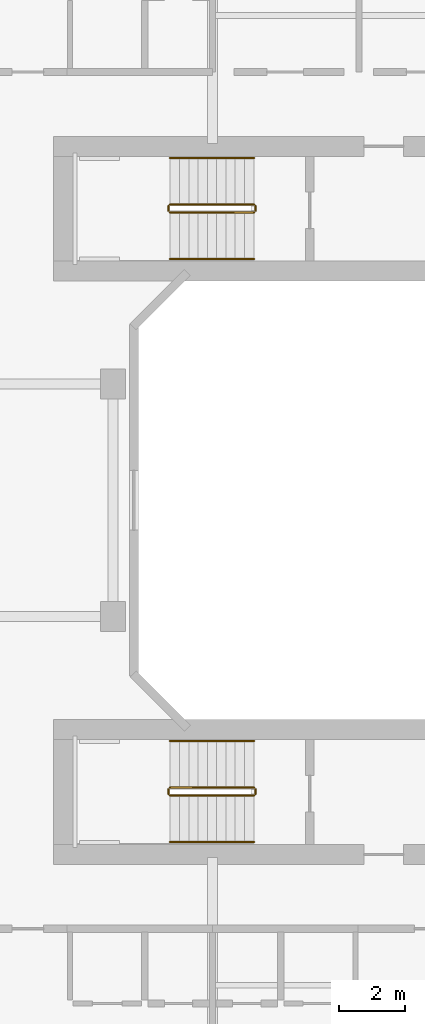
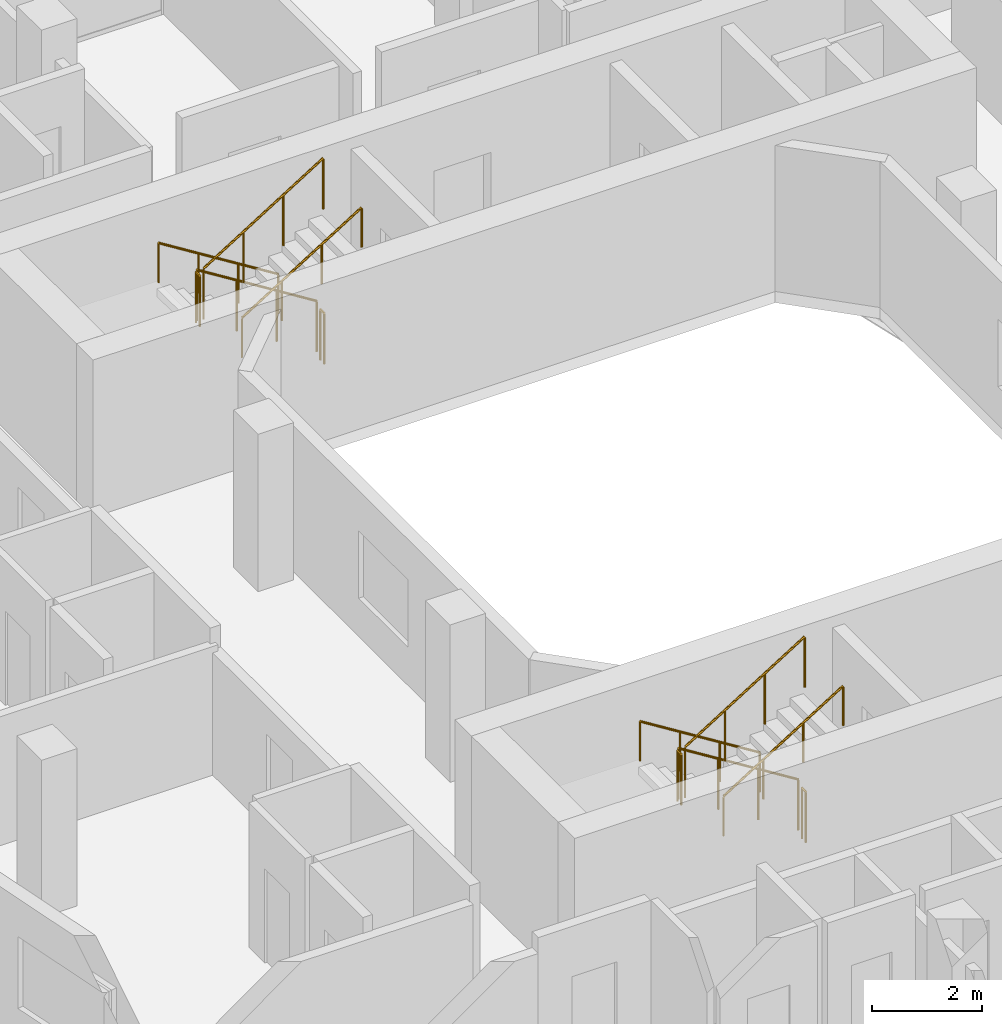
# One storey, part 27 of 27: 12 railings.
"""IFC4 building model written with IfcOpenShell, lengths in metres."""

import ifcopenshell
import ifcopenshell.guid

model = None  # the IFC model being written
_history = None  # IfcOwnerHistory: only IFC2X3 demands one
_inside = {}  # id of a spatial element -> (the spatial element, [elements in it])
_under = {}  # id of a project, library or spatial element -> (it, [spatial elements below it])
_declared = {}  # id of a project -> (the project, [libraries it declares])
_typed = {}  # id of a type object -> (the type object, [elements of that type])
_made_of = {}  # id of a material, layer set ... -> (it, [elements and type objects made of it])


def new_model(schema):
    """Start an empty IFC model of exactly this schema.

    Asked for "IFC4X3", IfcOpenShell would pick the latest addendum, in which some entities
    have other attributes; the version numbers below select the first issue.
    IFC2X3 requires an IfcOwnerHistory on every rooted entity: one is made here for all.
    """
    global model, _history
    if schema == "IFC4X3":
        model = ifcopenshell.file(schema_version=(4, 3, 0, 0))
    else:
        model = ifcopenshell.file(schema=schema)
    _inside.clear()
    _under.clear()
    _declared.clear()
    _typed.clear()
    _made_of.clear()
    _history = None
    if model.schema == "IFC2X3":
        org = make("IfcOrganization", Name="unknown")
        user = make(
            "IfcPersonAndOrganization",
            ThePerson=make("IfcPerson", FamilyName="unknown"),
            TheOrganization=org,
        )
        app = make(
            "IfcApplication",
            ApplicationDeveloper=org,
            Version="unknown",
            ApplicationFullName="unknown",
            ApplicationIdentifier="unknown",
        )
        _history = make(
            "IfcOwnerHistory",
            OwningUser=user,
            OwningApplication=app,
            ChangeAction="ADDED",
            CreationDate=0,
        )
    return model


def make(cls, **values):
    """One entity of the class cls with the attributes given. An attribute that is None is left unset."""
    return model.create_entity(
        cls, **{name: value for name, value in values.items() if value is not None}
    )


def rooted(cls, **values):
    """An entity with a GlobalId (a new one), such as an element, a storey or a relation."""
    return make(cls, GlobalId=ifcopenshell.guid.new(), OwnerHistory=_history, **values)


def si_unit(unit_type, name, prefix=None):
    """IfcSIUnit, for example si_unit("LENGTHUNIT", "METRE", prefix="MILLI")."""
    return make("IfcSIUnit", UnitType=unit_type, Prefix=prefix, Name=name)


def derived_unit(unit_type, elements):
    """IfcDerivedUnit: a product of units, each with its exponent."""
    return make(
        "IfcDerivedUnit",
        Elements=[
            make("IfcDerivedUnitElement", Unit=unit, Exponent=power)
            for unit, power in elements
        ],
        UnitType=unit_type,
    )


def assignment(units):
    """IfcUnitAssignment: the units of a project."""
    return None if units is None else make("IfcUnitAssignment", Units=units)


def point(xyz):
    """IfcCartesianPoint."""
    return None if xyz is None else make("IfcCartesianPoint", Coordinates=xyz)


def direction(xyz):
    """IfcDirection."""
    return None if xyz is None else make("IfcDirection", DirectionRatios=xyz)


def frame(location, z_axis=None, x_axis=None):
    """IfcAxis2Placement3D, a coordinate frame: its origin and axes. An axis left out is left unset."""
    return make(
        "IfcAxis2Placement3D",
        Location=point(location),
        Axis=direction(z_axis),
        RefDirection=direction(x_axis),
    )


def frame_2d(location, x_axis=None):
    """IfcAxis2Placement2D, a coordinate frame in the plane: its origin and x axis."""
    return make(
        "IfcAxis2Placement2D", Location=point(location), RefDirection=direction(x_axis)
    )


def origin():
    """The frame at (0, 0, 0) with its axes left unset."""
    return frame((0.0, 0.0, 0.0))


def origin_2d():
    """The frame at (0, 0) in the plane with its x axis left unset."""
    return frame_2d((0.0, 0.0))


def place(relative_to, where):
    """IfcLocalPlacement: puts the frame where relative to a parent placement (None: the world)."""
    return make(
        "IfcLocalPlacement", PlacementRelTo=relative_to, RelativePlacement=where
    )


def context(
    kind, dimensions, precision=None, world=None, true_north=None, identifier=None
):
    """IfcGeometricRepresentationContext, for example the 3D "Model" context."""
    return make(
        "IfcGeometricRepresentationContext",
        ContextIdentifier=identifier,
        ContextType=kind,
        CoordinateSpaceDimension=dimensions,
        Precision=precision,
        WorldCoordinateSystem=world,
        TrueNorth=true_north,
    )


def subcontext(parent, identifier, kind, view, scale=None):
    """IfcGeometricRepresentationSubContext, for example "Body" below "Model"."""
    return make(
        "IfcGeometricRepresentationSubContext",
        ContextIdentifier=identifier,
        ContextType=kind,
        ParentContext=parent,
        TargetScale=scale,
        TargetView=view,
    )


def project(units=None, contexts=None):
    """IfcProject with its units and contexts."""
    return rooted(
        "IfcProject",
        Name="project",
        RepresentationContexts=contexts,
        UnitsInContext=assignment(units),
    )


def spatial(cls, under=None, at=None, **own):
    """A site, building, storey or space (cls), placed at a placement, below another one or the project."""
    s = rooted(cls, ObjectPlacement=at, **own)
    if under is not None:
        _under.setdefault(under.id(), (under, []))[1].append(s)
    return s


def profile(cls, at=None, kind="AREA", **sizes):
    """A parametric profile (cls). Its sizes go by their IFC names, for example OverallWidth=200.0."""
    return make(cls, ProfileType=kind, Position=at, **sizes)


def circle(**sizes):
    """IfcCircleProfileDef."""
    return profile("IfcCircleProfileDef", **sizes)


def extrude(swept, where, along, depth):
    """IfcExtrudedAreaSolid: the profile swept, set in the frame where, extruded along a direction by depth."""
    return make(
        "IfcExtrudedAreaSolid",
        SweptArea=swept,
        Position=where,
        ExtrudedDirection=direction(along),
        Depth=depth,
    )


def shape(context_of_items, identifier, shape_type, items):
    """IfcShapeRepresentation: the items that make up one representation, for example the "Body"."""
    return make(
        "IfcShapeRepresentation",
        ContextOfItems=context_of_items,
        RepresentationIdentifier=identifier,
        RepresentationType=shape_type,
        Items=items,
    )


def material(Name=None, Category=None):
    """IfcMaterial."""
    return make("IfcMaterial", Name=Name, Category=Category)


def made_of(thing, what):
    """Note that an element or type object is made of a material, layer set ...; save() writes the relation."""
    if what is not None:
        _made_of.setdefault(what.id(), (what, []))[1].append(thing)
    return thing


def type_object(cls, material=None, **own):
    """A type object (cls), such as IfcWallType, which elements share."""
    return made_of(rooted(cls, **own), material)


def element(
    cls,
    number,
    at=None,
    inside=None,
    cuts=None,
    type_object=None,
    material=None,
    context=None,
    identifier="Body",
    shape_type=None,
    held_by="IfcProductDefinitionShape",
    body=None,
    shapes=None,
    **own,
):
    """One element of the class cls, such as IfcWall. Its Tag is "e" and its number.

    at: its placement. inside: the storey or other place that contains it. cuts: it is an
    opening in that element (IfcRelVoidsElement). A single representation is given by context,
    identifier, shape_type and body (its items); several are given by shapes. held_by: the class
    of the entity that holds the representations. save() writes the other relations.
    """
    e = rooted(cls, Tag="e%d" % number, ObjectPlacement=at, **own)
    if body is not None:
        shapes = [shape(context, identifier, shape_type, body)]
    if shapes is not None:
        e.Representation = make(held_by, Representations=shapes)
    if inside is not None:
        _inside.setdefault(inside.id(), (inside, []))[1].append(e)
    if cuts is not None:
        rooted(
            "IfcRelVoidsElement", RelatingBuildingElement=cuts, RelatedOpeningElement=e
        )
    if type_object is not None:
        _typed.setdefault(type_object.id(), (type_object, []))[1].append(e)
    return made_of(e, material)


def aggregate(whole, parts):
    """IfcRelAggregates: a whole, such as a stair, and the parts it consists of."""
    return rooted("IfcRelAggregates", RelatingObject=whole, RelatedObjects=parts)


def save(model, path):
    """Write the relations noted so far, then the file.

    IfcRelAggregates (storeys below a building ...), IfcRelContainedInSpatialStructure (elements
    in a storey), IfcRelDefinesByType, IfcRelAssociatesMaterial and IfcRelDeclares: one each for
    every whole, place, type object, material and project.
    """
    for whole, parts in _under.values():
        aggregate(whole, parts)
    for where, things in _inside.values():
        rooted(
            "IfcRelContainedInSpatialStructure",
            RelatedElements=things,
            RelatingStructure=where,
        )
    for kind, things in _typed.values():
        rooted("IfcRelDefinesByType", RelatedObjects=things, RelatingType=kind)
    for what, things in _made_of.values():
        rooted("IfcRelAssociatesMaterial", RelatedObjects=things, RelatingMaterial=what)
    for by, libraries in _declared.values():
        rooted("IfcRelDeclares", RelatingContext=by, RelatedDefinitions=libraries)
    model.write(path)


model = new_model("IFC4")

# Units and contexts
model_context = context("Model", 3, precision=1e-05, world=origin(), true_north=direction((0.0, 1.0)))
body_context = subcontext(model_context, "Body", "Model", "MODEL_VIEW")
ifc_project = project(units=[si_unit("LENGTHUNIT", "METRE"), si_unit("AREAUNIT", "SQUARE_METRE"), si_unit("VOLUMEUNIT", "CUBIC_METRE"), si_unit("PLANEANGLEUNIT", "RADIAN"), si_unit("MASSUNIT", "GRAM", prefix="KILO"), derived_unit("THERMALTRANSMITTANCEUNIT", [(si_unit("POWERUNIT", "WATT"), 1), (si_unit("LENGTHUNIT", "METRE"), -2), (si_unit("THERMODYNAMICTEMPERATUREUNIT", "KELVIN"), -1)])], contexts=[model_context])

# Site, building, storey
site_placement = place(None, origin())
site = spatial("IfcSite", under=ifc_project, at=site_placement, CompositionType="ELEMENT")
building_placement = place(site_placement, origin())
building = spatial("IfcBuilding", under=site, at=building_placement, Name="Kivonza Crest Hotel", CompositionType="ELEMENT")
storey_placement = place(building_placement, frame((0.0, 0.0, 38.0)))
storey = spatial("IfcBuildingStorey", under=building, at=storey_placement, Name="L09", CompositionType="ELEMENT", Elevation=38.0)

# Railings
ifc_material_1 = material(Name="Brushed stainless steel handrail", Category="steel")
railing_type_1 = type_object("IfcRailingType", Name="RL-HAND-900", PredefinedType="HANDRAIL", material=ifc_material_1)
railing_1_placement = place(storey_placement, frame((73.840087890625, 35.31005859375, 0.175048828125)))
element("IfcRailing", 1, at=railing_1_placement, inside=storey, type_object=railing_type_1, Name="L09 ST-T2-N stair handrail 1", PredefinedType="HANDRAIL", context=body_context, shape_type="SweptSolid", body=[
    extrude(circle(Radius=0.02392578125, at=origin_2d()), frame((0.0, 0.0, 0.8759765625), z_axis=(-0.848007534815, 0.0, 0.529984170421), x_axis=(0.0, -1.0, 0.0)), (0.0, 0.0, 1.0), 2.9716796875),
    extrude(circle(Radius=0.02099609375, at=origin_2d()), origin(), (0.0, 0.0, 1.0), 0.851806640625),
    extrude(circle(Radius=0.02099609375, at=origin_2d()), frame((-0.840087890625, 0.0, 0.52490234375)), (0.0, 0.0, 1.0), 0.851806640625),
    extrude(circle(Radius=0.02099609375, at=origin_2d()), frame((-1.679931640625, 0.0, 1.050048828125)), (0.0, 0.0, 1.0), 0.851806640625),
    extrude(circle(Radius=0.02099609375, at=origin_2d()), frame((-2.52001953125, 0.0, 1.574951171875)), (0.0, 0.0, 1.0), 0.851806640625),
])
railing_2_placement = place(storey_placement, frame((71.320068359375, 32.27001953125, 1.925048828125)))
element("IfcRailing", 2, at=railing_2_placement, inside=storey, type_object=railing_type_1, Name="L09 ST-T2-N stair handrail 2", PredefinedType="HANDRAIL", context=body_context, shape_type="SweptSolid", body=[
    extrude(circle(Radius=0.02392578125, at=origin_2d()), frame((0.0, 0.0, 0.8759765625), z_axis=(0.848007534815, 0.0, 0.529984170421), x_axis=(0.0, 1.0, 0.0)), (0.0, 0.0, 1.0), 2.9716796875),
    extrude(circle(Radius=0.02099609375, at=origin_2d()), origin(), (0.0, 0.0, 1.0), 0.851806640625),
    extrude(circle(Radius=0.02099609375, at=origin_2d()), frame((0.840087890625, 0.0, 0.52490234375)), (0.0, 0.0, 1.0), 0.851806640625),
    extrude(circle(Radius=0.02099609375, at=origin_2d()), frame((1.679931640625, 0.0, 1.050048828125)), (0.0, 0.0, 1.0), 0.851806640625),
    extrude(circle(Radius=0.02099609375, at=origin_2d()), frame((2.52001953125, 0.0, 1.574951171875)), (0.0, 0.0, 1.0), 0.851806640625),
])
railing_3_placement = place(storey_placement, frame((73.840087890625, 17.75, 0.175048828125)))
element("IfcRailing", 3, at=railing_3_placement, inside=storey, type_object=railing_type_1, Name="L09 ST-T2-S stair handrail 1", PredefinedType="HANDRAIL", context=body_context, shape_type="SweptSolid", body=[
    extrude(circle(Radius=0.02392578125, at=origin_2d()), frame((0.0, 0.0, 0.8759765625), z_axis=(-0.848007534815, 0.0, 0.529984170421), x_axis=(0.0, -1.0, 0.0)), (0.0, 0.0, 1.0), 2.9716796875),
    extrude(circle(Radius=0.02099609375, at=origin_2d()), origin(), (0.0, 0.0, 1.0), 0.851806640625),
    extrude(circle(Radius=0.02099609375, at=origin_2d()), frame((-0.840087890625, 0.0, 0.52490234375)), (0.0, 0.0, 1.0), 0.851806640625),
    extrude(circle(Radius=0.02099609375, at=origin_2d()), frame((-1.679931640625, 0.0, 1.050048828125)), (0.0, 0.0, 1.0), 0.851806640625),
    extrude(circle(Radius=0.02099609375, at=origin_2d()), frame((-2.52001953125, 0.0, 1.574951171875)), (0.0, 0.0, 1.0), 0.851806640625),
])
railing_4_placement = place(storey_placement, frame((71.320068359375, 14.7099609375, 1.925048828125)))
element("IfcRailing", 4, at=railing_4_placement, inside=storey, type_object=railing_type_1, Name="L09 ST-T2-S stair handrail 2", PredefinedType="HANDRAIL", context=body_context, shape_type="SweptSolid", body=[
    extrude(circle(Radius=0.02392578125, at=origin_2d()), frame((0.0, 0.0, 0.8759765625), z_axis=(0.848007534815, 0.0, 0.529984170421), x_axis=(0.0, 1.0, 0.0)), (0.0, 0.0, 1.0), 2.9716796875),
    extrude(circle(Radius=0.02099609375, at=origin_2d()), origin(), (0.0, 0.0, 1.0), 0.851806640625),
    extrude(circle(Radius=0.02099609375, at=origin_2d()), frame((0.840087890625, 0.0, 0.52490234375)), (0.0, 0.0, 1.0), 0.851806640625),
    extrude(circle(Radius=0.02099609375, at=origin_2d()), frame((1.679931640625, 0.0, 1.050048828125)), (0.0, 0.0, 1.0), 0.851806640625),
    extrude(circle(Radius=0.02099609375, at=origin_2d()), frame((2.52001953125, 0.0, 1.574951171875)), (0.0, 0.0, 1.0), 0.851806640625),
])
ifc_material_2 = material(Name="Painted steel balustrade", Category="steel")
railing_type_2 = type_object("IfcRailingType", Name="RL-STAIR-1150", PredefinedType="BALUSTRADE", material=ifc_material_2)
railing_5_placement = place(storey_placement, frame((73.840087890625, 33.909912109375, 0.175048828125)))
element("IfcRailing", 5, at=railing_5_placement, inside=storey, type_object=railing_type_2, Name="L09 ST-T2-N stair guard 1", PredefinedType="BALUSTRADE", context=body_context, shape_type="SweptSolid", body=[
    extrude(circle(Radius=0.02392578125, at=origin_2d()), frame((0.0, 0.0, 1.1259765625), z_axis=(-0.848007534815, 0.0, 0.529984170421), x_axis=(0.0, -1.0, 0.0)), (0.0, 0.0, 1.0), 2.9716796875),
    extrude(circle(Radius=0.02099609375, at=origin_2d()), origin(), (0.0, 0.0, 1.0), 1.101806640625),
    extrude(circle(Radius=0.02099609375, at=origin_2d()), frame((-0.840087890625, 0.0, 0.52490234375)), (0.0, 0.0, 1.0), 1.101806640625),
    extrude(circle(Radius=0.02099609375, at=origin_2d()), frame((-1.679931640625, 0.0, 1.050048828125)), (0.0, 0.0, 1.0), 1.101806640625),
    extrude(circle(Radius=0.02099609375, at=origin_2d()), frame((-2.52001953125, 0.0, 1.574951171875)), (0.0, 0.0, 1.0), 1.101806640625),
])
railing_6_placement = place(storey_placement, frame((71.27001953125, 33.860107421875, 1.75)))
element("IfcRailing", 6, at=railing_6_placement, inside=storey, type_object=railing_type_2, Name="L09 ST-T2-N stair guard 2", PredefinedType="BALUSTRADE", context=body_context, shape_type="SweptSolid", body=[
    extrude(circle(Radius=0.02392578125, at=origin_2d()), frame((0.0, 0.0, 1.1259765625), z_axis=(0.0, -1.0, 0.0), x_axis=(1.0, 0.0, 0.0)), (0.0, 0.0, 1.0), 0.14013671875),
    extrude(circle(Radius=0.02099609375, at=origin_2d()), origin(), (0.0, 0.0, 1.0), 1.101806640625),
    extrude(circle(Radius=0.02099609375, at=origin_2d()), frame((0.0, -0.14013671875, 0.0)), (0.0, 0.0, 1.0), 1.101806640625),
])
railing_7_placement = place(storey_placement, frame((71.320068359375, 33.669921875, 1.925048828125)))
element("IfcRailing", 7, at=railing_7_placement, inside=storey, type_object=railing_type_2, Name="L09 ST-T2-N stair guard 3", PredefinedType="BALUSTRADE", context=body_context, shape_type="SweptSolid", body=[
    extrude(circle(Radius=0.02392578125, at=origin_2d()), frame((0.0, 0.0, 1.1259765625), z_axis=(0.848007534815, 0.0, 0.529984170421), x_axis=(0.0, 1.0, 0.0)), (0.0, 0.0, 1.0), 2.9716796875),
    extrude(circle(Radius=0.02099609375, at=origin_2d()), origin(), (0.0, 0.0, 1.0), 1.101806640625),
    extrude(circle(Radius=0.02099609375, at=origin_2d()), frame((0.840087890625, 0.0, 0.52490234375)), (0.0, 0.0, 1.0), 1.101806640625),
    extrude(circle(Radius=0.02099609375, at=origin_2d()), frame((1.679931640625, 0.0, 1.050048828125)), (0.0, 0.0, 1.0), 1.101806640625),
    extrude(circle(Radius=0.02099609375, at=origin_2d()), frame((2.52001953125, 0.0, 1.574951171875)), (0.0, 0.0, 1.0), 1.101806640625),
])
railing_8_placement = place(storey_placement, frame((73.889892578125, 33.860107421875, 0.0)))
element("IfcRailing", 8, at=railing_8_placement, inside=storey, type_object=railing_type_2, Name="L09 ST-T2-N stair guard 4", PredefinedType="BALUSTRADE", context=body_context, shape_type="SweptSolid", body=[
    extrude(circle(Radius=0.02392578125, at=origin_2d()), frame((0.0, 0.0, 1.1259765625), z_axis=(0.0, -1.0, 0.0), x_axis=(1.0, 0.0, 0.0)), (0.0, 0.0, 1.0), 0.14013671875),
    extrude(circle(Radius=0.02099609375, at=origin_2d()), origin(), (0.0, 0.0, 1.0), 1.101806640625),
    extrude(circle(Radius=0.02099609375, at=origin_2d()), frame((0.0, -0.14013671875, 0.0)), (0.0, 0.0, 1.0), 1.101806640625),
])
railing_9_placement = place(storey_placement, frame((73.840087890625, 16.35009765625, 0.175048828125)))
element("IfcRailing", 9, at=railing_9_placement, inside=storey, type_object=railing_type_2, Name="L09 ST-T2-S stair guard 1", PredefinedType="BALUSTRADE", context=body_context, shape_type="SweptSolid", body=[
    extrude(circle(Radius=0.02392578125, at=origin_2d()), frame((0.0, 0.0, 1.1259765625), z_axis=(-0.848007534815, 0.0, 0.529984170421), x_axis=(0.0, -1.0, 0.0)), (0.0, 0.0, 1.0), 2.9716796875),
    extrude(circle(Radius=0.02099609375, at=origin_2d()), origin(), (0.0, 0.0, 1.0), 1.101806640625),
    extrude(circle(Radius=0.02099609375, at=origin_2d()), frame((-0.840087890625, 0.0, 0.52490234375)), (0.0, 0.0, 1.0), 1.101806640625),
    extrude(circle(Radius=0.02099609375, at=origin_2d()), frame((-1.679931640625, 0.0, 1.050048828125)), (0.0, 0.0, 1.0), 1.101806640625),
    extrude(circle(Radius=0.02099609375, at=origin_2d()), frame((-2.52001953125, 0.0, 1.574951171875)), (0.0, 0.0, 1.0), 1.101806640625),
])
railing_10_placement = place(storey_placement, frame((71.27001953125, 16.300048828125, 1.75)))
element("IfcRailing", 10, at=railing_10_placement, inside=storey, type_object=railing_type_2, Name="L09 ST-T2-S stair guard 2", PredefinedType="BALUSTRADE", context=body_context, shape_type="SweptSolid", body=[
    extrude(circle(Radius=0.02392578125, at=origin_2d()), frame((0.0, 0.0, 1.1259765625), z_axis=(0.0, -1.0, 0.0), x_axis=(1.0, 0.0, 0.0)), (0.0, 0.0, 1.0), 0.14013671875),
    extrude(circle(Radius=0.02099609375, at=origin_2d()), origin(), (0.0, 0.0, 1.0), 1.101806640625),
    extrude(circle(Radius=0.02099609375, at=origin_2d()), frame((0.0, -0.14013671875, 0.0)), (0.0, 0.0, 1.0), 1.101806640625),
])
railing_11_placement = place(storey_placement, frame((71.320068359375, 16.110107421875, 1.925048828125)))
element("IfcRailing", 11, at=railing_11_placement, inside=storey, type_object=railing_type_2, Name="L09 ST-T2-S stair guard 3", PredefinedType="BALUSTRADE", context=body_context, shape_type="SweptSolid", body=[
    extrude(circle(Radius=0.02392578125, at=origin_2d()), frame((0.0, 0.0, 1.1259765625), z_axis=(0.848007534815, 0.0, 0.529984170421), x_axis=(0.0, 1.0, 0.0)), (0.0, 0.0, 1.0), 2.9716796875),
    extrude(circle(Radius=0.02099609375, at=origin_2d()), origin(), (0.0, 0.0, 1.0), 1.101806640625),
    extrude(circle(Radius=0.02099609375, at=origin_2d()), frame((0.840087890625, 0.0, 0.52490234375)), (0.0, 0.0, 1.0), 1.101806640625),
    extrude(circle(Radius=0.02099609375, at=origin_2d()), frame((1.679931640625, 0.0, 1.050048828125)), (0.0, 0.0, 1.0), 1.101806640625),
    extrude(circle(Radius=0.02099609375, at=origin_2d()), frame((2.52001953125, 0.0, 1.574951171875)), (0.0, 0.0, 1.0), 1.101806640625),
])
railing_12_placement = place(storey_placement, frame((73.889892578125, 16.300048828125, 0.0)))
element("IfcRailing", 12, at=railing_12_placement, inside=storey, type_object=railing_type_2, Name="L09 ST-T2-S stair guard 4", PredefinedType="BALUSTRADE", context=body_context, shape_type="SweptSolid", body=[
    extrude(circle(Radius=0.02392578125, at=origin_2d()), frame((0.0, 0.0, 1.1259765625), z_axis=(0.0, -1.0, 0.0), x_axis=(1.0, 0.0, 0.0)), (0.0, 0.0, 1.0), 0.14013671875),
    extrude(circle(Radius=0.02099609375, at=origin_2d()), origin(), (0.0, 0.0, 1.0), 1.101806640625),
    extrude(circle(Radius=0.02099609375, at=origin_2d()), frame((0.0, -0.14013671875, 0.0)), (0.0, 0.0, 1.0), 1.101806640625),
])

save(model, "model.ifc")
